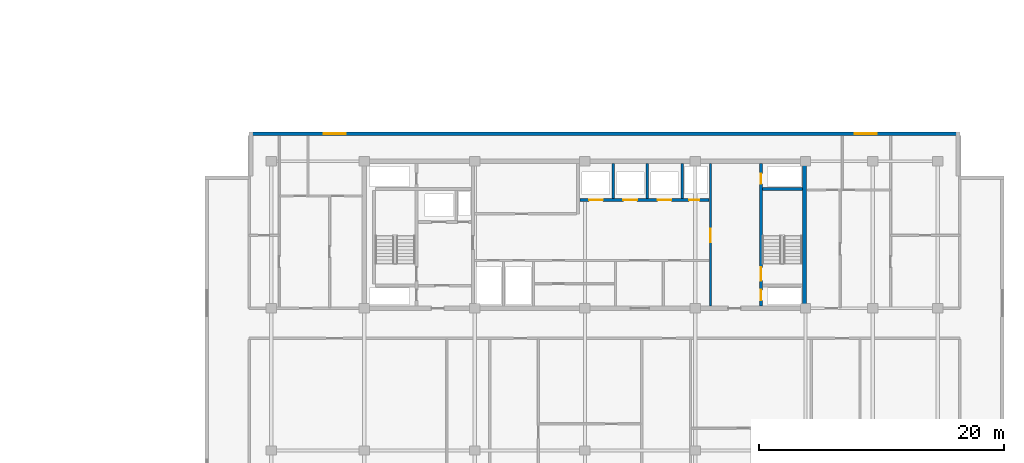
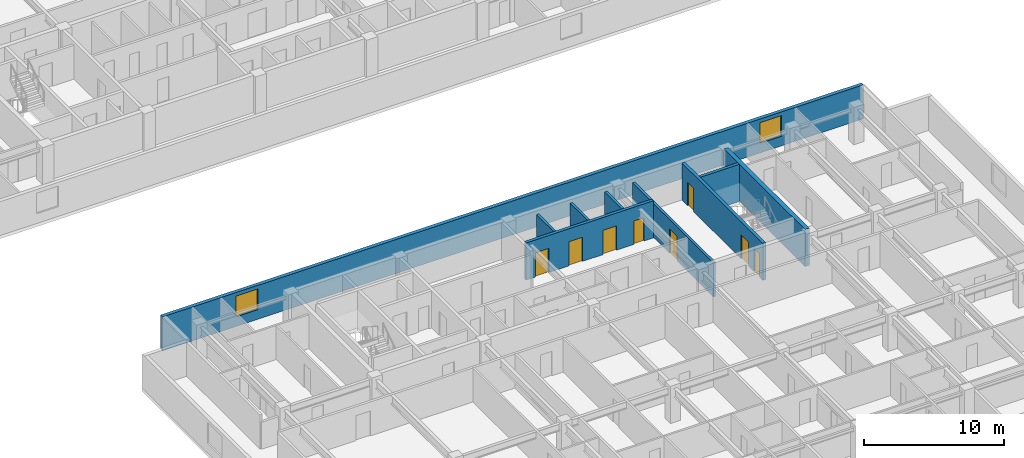
# One storey, part 8 of 22: 9 walls, 8 doors, 2 windows, 10 openings.
"""IFC4 building model written with IfcOpenShell, lengths in metres."""

from ifc_helpers import new_model, si_unit, direction, frame, frame_2d, origin, place, context, subcontext, project, spatial, rectangle, extrude, material, layer, layer_set, type_object, element, fill, save


model = new_model("IFC4")

# Units and contexts
model_context = context("Model", 3, precision=1e-05, world=origin(), true_north=direction((0.0, 1.0)))
body_context = subcontext(model_context, "Body", "Model", "MODEL_VIEW")
ifc_project = project(units=[si_unit("LENGTHUNIT", "METRE"), si_unit("AREAUNIT", "SQUARE_METRE"), si_unit("VOLUMEUNIT", "CUBIC_METRE"), si_unit("PLANEANGLEUNIT", "RADIAN"), si_unit("MASSUNIT", "GRAM", prefix="KILO")], contexts=[model_context])

# Site, building, storey
site_placement = place(None, origin())
site = spatial("IfcSite", under=ifc_project, at=site_placement, CompositionType="ELEMENT")
building_placement = place(site_placement, origin())
building = spatial("IfcBuilding", under=site, at=building_placement, Name="Korimba Cascade Residences", CompositionType="ELEMENT")
storey_placement = place(building_placement, frame((0.0, 0.0, 110.050048828125)))
storey = spatial("IfcBuildingStorey", under=building, at=storey_placement, Name="L31", CompositionType="ELEMENT", Elevation=110.050048828125)

# Wall, openings, windows
ifc_material_1 = material(Name="Precast concrete C40/50", Category="concrete")
ifc_layer_1 = layer(ifc_material_1, 0.300048828125)
ifc_layer_set_1 = layer_set([ifc_layer_1], Name="Precast concrete C40/50")
wall_type_1 = type_object("IfcWallType", Name="EW-STONE-300", PredefinedType="STANDARD", material=ifc_layer_set_1)
wall_1_placement = place(storey_placement, frame((130.699951171875, 32.64990234375, 0.0), z_axis=(0.0, 0.0, 1.0), x_axis=(-1.0, 0.0, 0.0)))
wall_1 = element("IfcWall", 1, at=wall_1_placement, inside=storey, type_object=wall_type_1, Name="L31 T2 Perimeter Stone Wall E06", PredefinedType="STANDARD", context=body_context, shape_type="SweptSolid", body=[
    extrude(rectangle(XDim=58.0, YDim=0.300048828125, at=frame_2d((29.0, 0.0))), origin(), (0.0, 0.0, 1.0), 2.969970703125),
])
opening_1_placement = place(wall_1_placement, frame((50.125, 0.0, 0.85009765625)))
opening_1 = element("IfcOpeningElement", 2, at=opening_1_placement, cuts=wall_1, Name="Opening W-02", PredefinedType="OPENING", context=body_context, shape_type="SweptSolid", body=[
    extrude(rectangle(XDim=1.800048828125, YDim=1.800048828125, at=frame_2d((0.89990234375, 0.89990234375))), frame((0.0, 0.16015625, 0.0), z_axis=(0.0, -1.0, 0.0), x_axis=(1.0, 0.0, 0.0)), (0.0, 0.0, 1.0), 0.320068359375),
])
opening_2_placement = place(wall_1_placement, frame((6.77490234375, 0.0, 0.85009765625)))
opening_2 = element("IfcOpeningElement", 3, at=opening_2_placement, cuts=wall_1, Name="Opening W-02", PredefinedType="OPENING", context=body_context, shape_type="SweptSolid", body=[
    extrude(rectangle(XDim=1.800048828125, YDim=1.800048828125, at=frame_2d((0.89990234375, 0.89990234375))), frame((0.0, 0.16015625, 0.0), z_axis=(0.0, -1.0, 0.0), x_axis=(1.0, 0.0, 0.0)), (0.0, 0.0, 1.0), 0.320068359375),
])
ifc_material_2 = material(Name="Double-Glazed Aluminium Window", Category="aluminium")
window_type = type_object("IfcWindowType", Name="WIN-BED-1800", PartitioningType="SINGLE_PANEL", PredefinedType="WINDOW", material=ifc_material_2)
window_1_placement = place(opening_1_placement, origin())
window_1 = element("IfcWindow", 4, at=window_1_placement, inside=storey, type_object=window_type, Name="L31 T2 North Corner Bedroom Window 1", OverallHeight=1.800048828125, OverallWidth=1.800048828125, PartitioningType="SINGLE_PANEL", PredefinedType="WINDOW", context=body_context, shape_type="SweptSolid", body=[
    extrude(rectangle(XDim=1.800048828125, YDim=1.800048828125, at=frame_2d((0.89990234375, 0.89990234375))), frame((0.0, 0.030029296875, 0.0), z_axis=(0.0, -1.0, 0.0), x_axis=(1.0, 0.0, 0.0)), (0.0, 0.0, 1.0), 0.06005859375),
])
fill(opening_1, window_1)
window_2_placement = place(opening_2_placement, origin())
window_2 = element("IfcWindow", 5, at=window_2_placement, inside=storey, type_object=window_type, Name="L31 T2 North Corner Bedroom Window 2", OverallHeight=1.800048828125, OverallWidth=1.800048828125, PartitioningType="SINGLE_PANEL", PredefinedType="WINDOW", context=body_context, shape_type="SweptSolid", body=[
    extrude(rectangle(XDim=1.800048828125, YDim=1.800048828125, at=frame_2d((0.89990234375, 0.89990234375))), frame((0.0, 0.030029296875, 0.0), z_axis=(0.0, -1.0, 0.0), x_axis=(1.0, 0.0, 0.0)), (0.0, 0.0, 1.0), 0.06005859375),
])
fill(opening_2, window_2)

# Walls
ifc_material_3 = material(Name="Concrete C65/80", Category="concrete")
ifc_layer_2 = layer(ifc_material_3, 0.35009765625)
ifc_layer_set_2 = layer_set([ifc_layer_2], Name="Concrete C65/80")
wall_type_2 = type_object("IfcWallType", Name="WAL-CORE-350", PredefinedType="SHEAR", material=ifc_layer_set_2)
wall_2_placement = place(storey_placement, frame((118.014892578125, 18.574951171875, 0.0), z_axis=(0.0, 0.0, 1.0), x_axis=(0.0, 1.0, 0.0)))
element("IfcWall", 6, at=wall_2_placement, inside=storey, type_object=wall_type_2, Name="L31 Core Shear Wall CW-L31-T2-E", PredefinedType="SHEAR", context=body_context, shape_type="SweptSolid", body=[
    extrude(rectangle(XDim=11.650146484375, YDim=0.35009765625, at=frame_2d((5.8251953125, 0.0))), origin(), (0.0, 0.0, 1.0), 3.25),
])
ifc_material_4 = material(Name="Concrete C40/50", Category="concrete")
ifc_layer_3 = layer(ifc_material_4, 0.199951171875)
ifc_layer_set_3 = layer_set([ifc_layer_3], Name="Concrete C40/50")
wall_type_3 = type_object("IfcWallType", Name="WAL-PART-200", PredefinedType="PARTITIONING", material=ifc_layer_set_3)
for number, where, z_axis, x_axis, name in (
    (7, (102.39990234375, 27.3798828125, 0.0), (0.0, 0.0, 1.0), (0.0, 1.0, 0.0), "L31 Partition Wall CW-L31-T2-B2D1"),
    (8, (105.199951171875, 27.3798828125, 0.0), (0.0, 0.0, 1.0), (0.0, 1.0, 0.0), "L31 Partition Wall CW-L31-T2-B2D2"),
    (9, (108.050048828125, 27.3798828125, 0.0), (0.0, 0.0, 1.0), (0.0, 1.0, 0.0), "L31 Partition Wall CW-L31-T2-B2D3"),
):
    element("IfcWall", number, at=place(storey_placement, frame(where, z_axis=z_axis, x_axis=x_axis)), inside=storey, type_object=wall_type_3, Name=name, PredefinedType="PARTITIONING", context=body_context, shape_type="SweptSolid", body=[
        extrude(rectangle(XDim=2.820068359375, YDim=0.199951171875, at=frame_2d((1.41015625, 0.0))), origin(), (0.0, 0.0, 1.0), 2.969970703125),
    ])

# Wall, opening, door
wall_3_placement = place(storey_placement, frame((110.35009765625, 18.60009765625, 0.0), z_axis=(0.0, 0.0, 1.0), x_axis=(0.0, 1.0, 0.0)))
wall_3 = element("IfcWall", 10, at=wall_3_placement, inside=storey, type_object=wall_type_3, Name="L31 Partition Wall CW-L31-T2-LLEV", PredefinedType="PARTITIONING", context=body_context, shape_type="SweptSolid", body=[
    extrude(rectangle(XDim=11.599853515625, YDim=0.199951171875, at=frame_2d((5.7998046875, 0.0))), origin(), (0.0, 0.0, 1.0), 2.969970703125),
])
opening_3_placement = place(wall_3_placement, frame((5.199951171875, 0.0, 0.0)))
opening_3 = element("IfcOpeningElement", 11, at=opening_3_placement, cuts=wall_3, Name="Opening D-FD6", PredefinedType="OPENING", context=body_context, shape_type="SweptSolid", body=[
    extrude(rectangle(XDim=1.10009765625, YDim=2.14990234375, at=frame_2d((0.550048828125, 1.074951171875))), frame((0.0, 0.10986328125, 0.0), z_axis=(0.0, -1.0, 0.0), x_axis=(1.0, 0.0, 0.0)), (0.0, 0.0, 1.0), 0.219970703125),
])
ifc_material_5 = material(Name="Fire-Rated Timber Stair Lobby Door", Category="wood")
door_type_1 = type_object("IfcDoorType", Name="DR-FD90-1100", OperationType="NOTDEFINED", PredefinedType="DOOR", material=ifc_material_5)
door_1_placement = place(opening_3_placement, origin())
door_1 = element("IfcDoor", 12, at=door_1_placement, inside=storey, type_object=door_type_1, Name="L31 T2 Lift Lobby to East Stair Lobby Door", OperationType="SINGLE_SWING_LEFT", OverallHeight=2.14990234375, OverallWidth=1.10009765625, PredefinedType="DOOR", context=body_context, shape_type="SweptSolid", body=[
    extrude(rectangle(XDim=1.10009765625, YDim=2.14990234375, at=frame_2d((0.550048828125, 1.074951171875))), frame((0.0, 0.02490234375, 0.0), z_axis=(0.0, -1.0, 0.0), x_axis=(1.0, 0.0, 0.0)), (0.0, 0.0, 1.0), 0.050048828125),
])
fill(opening_3, door_1)

# Wall, openings, doors
ifc_material_6 = material(Name="Concrete C50/60", Category="concrete")
ifc_layer_4 = layer(ifc_material_6, 0.25)
ifc_layer_set_4 = layer_set([ifc_layer_4], Name="Concrete C50/60")
wall_type_4 = type_object("IfcWallType", Name="WAL-SHAFT-250", PredefinedType="SHEAR", material=ifc_layer_set_4)
wall_4_placement = place(storey_placement, frame((99.679931640625, 27.25, 0.0), z_axis=(0.0, 0.0, 1.0), x_axis=(1.0, 0.0, 0.0)))
wall_4 = element("IfcWall", 13, at=wall_4_placement, inside=storey, type_object=wall_type_4, Name="L31 Core Shear Wall CW-L31-T2-B2S", PredefinedType="SHEAR", context=body_context, shape_type="SweptSolid", body=[
    extrude(rectangle(XDim=10.5400390625, YDim=0.25, at=frame_2d((5.27001953125, 0.0))), origin(), (0.0, 0.0, 1.0), 3.25),
])
opening_4_placement = place(wall_4_placement, frame((0.760009765625, 0.0, 0.0)))
opening_4 = element("IfcOpeningElement", 14, at=opening_4_placement, cuts=wall_4, Name="Opening LD-01", PredefinedType="OPENING", context=body_context, shape_type="SweptSolid", body=[
    extrude(rectangle(XDim=1.1201171875, YDim=2.1201171875, at=frame_2d((0.56005859375, 1.06005859375))), frame((0.0, 0.135009765625, 0.0), z_axis=(0.0, -1.0, 0.0), x_axis=(1.0, 0.0, 0.0)), (0.0, 0.0, 1.0), 0.27001953125),
])
opening_5_placement = place(wall_4_placement, frame((3.56005859375, 0.0, 0.0)))
opening_5 = element("IfcOpeningElement", 15, at=opening_5_placement, cuts=wall_4, Name="Opening LD-01", PredefinedType="OPENING", context=body_context, shape_type="SweptSolid", body=[
    extrude(rectangle(XDim=1.1201171875, YDim=2.1201171875, at=frame_2d((0.56005859375, 1.06005859375))), frame((0.0, 0.135009765625, 0.0), z_axis=(0.0, -1.0, 0.0), x_axis=(1.0, 0.0, 0.0)), (0.0, 0.0, 1.0), 0.27001953125),
])
opening_6_placement = place(wall_4_placement, frame((6.360107421875, 0.0, 0.0)))
opening_6 = element("IfcOpeningElement", 16, at=opening_6_placement, cuts=wall_4, Name="Opening LD-01", PredefinedType="OPENING", context=body_context, shape_type="SweptSolid", body=[
    extrude(rectangle(XDim=1.1201171875, YDim=2.1201171875, at=frame_2d((0.56005859375, 1.06005859375))), frame((0.0, 0.135009765625, 0.0), z_axis=(0.0, -1.0, 0.0), x_axis=(1.0, 0.0, 0.0)), (0.0, 0.0, 1.0), 0.27001953125),
])
opening_7_placement = place(wall_4_placement, frame((8.919921875, 0.0, 0.0)))
opening_7 = element("IfcOpeningElement", 17, at=opening_7_placement, cuts=wall_4, Name="Opening D-RS1", PredefinedType="OPENING", context=body_context, shape_type="SweptSolid", body=[
    extrude(rectangle(XDim=0.85009765625, YDim=2.050048828125, at=frame_2d((0.425048828125, 1.02490234375))), frame((0.0, 0.135009765625, 0.0), z_axis=(0.0, -1.0, 0.0), x_axis=(1.0, 0.0, 0.0)), (0.0, 0.0, 1.0), 0.27001953125),
])
ifc_material_7 = material(Name="Fire-Rated Steel Riser Access Door", Category="steel")
door_type_2 = type_object("IfcDoorType", Name="DR-FD60-850", OperationType="NOTDEFINED", PredefinedType="DOOR", material=ifc_material_7)
door_2_placement = place(opening_7_placement, origin())
door_2 = element("IfcDoor", 18, at=door_2_placement, inside=storey, type_object=door_type_2, Name="L31 T2 Duct Door", OperationType="SINGLE_SWING_LEFT", OverallHeight=2.050048828125, OverallWidth=0.85009765625, PredefinedType="DOOR", context=body_context, shape_type="SweptSolid", body=[
    extrude(rectangle(XDim=0.85009765625, YDim=2.050048828125, at=frame_2d((0.425048828125, 1.02490234375))), frame((0.0, 0.02490234375, 0.0), z_axis=(0.0, -1.0, 0.0), x_axis=(1.0, 0.0, 0.0)), (0.0, 0.0, 1.0), 0.050048828125),
])
fill(opening_7, door_2)
ifc_material_8 = material(Name="Stainless Steel Lift Landing Sliding Door", Category="steel")
door_type_3 = type_object("IfcDoorType", Name="DR-LIFT-1100", OperationType="NOTDEFINED", PredefinedType="DOOR", material=ifc_material_8)
door_3_placement = place(opening_4_placement, origin())
door_3 = element("IfcDoor", 19, at=door_3_placement, inside=storey, type_object=door_type_3, Name="L31 Lift Landing Door PL-E4", OperationType="SLIDING_TO_RIGHT", OverallHeight=2.1201171875, OverallWidth=1.1201171875, PredefinedType="DOOR", context=body_context, shape_type="SweptSolid", body=[
    extrude(rectangle(XDim=1.1201171875, YDim=2.1201171875, at=frame_2d((0.56005859375, 1.06005859375))), frame((0.0, 0.02490234375, 0.0), z_axis=(0.0, -1.0, 0.0), x_axis=(1.0, 0.0, 0.0)), (0.0, 0.0, 1.0), 0.050048828125),
])
fill(opening_4, door_3)
door_4_placement = place(opening_5_placement, origin())
door_4 = element("IfcDoor", 20, at=door_4_placement, inside=storey, type_object=door_type_3, Name="L31 Lift Landing Door PL-E5", OperationType="SLIDING_TO_RIGHT", OverallHeight=2.1201171875, OverallWidth=1.1201171875, PredefinedType="DOOR", context=body_context, shape_type="SweptSolid", body=[
    extrude(rectangle(XDim=1.1201171875, YDim=2.1201171875, at=frame_2d((0.56005859375, 1.06005859375))), frame((0.0, 0.02490234375, 0.0), z_axis=(0.0, -1.0, 0.0), x_axis=(1.0, 0.0, 0.0)), (0.0, 0.0, 1.0), 0.050048828125),
])
fill(opening_5, door_4)
door_5_placement = place(opening_6_placement, origin())
door_5 = element("IfcDoor", 21, at=door_5_placement, inside=storey, type_object=door_type_3, Name="L31 Lift Landing Door PL-E6", OperationType="SLIDING_TO_RIGHT", OverallHeight=2.1201171875, OverallWidth=1.1201171875, PredefinedType="DOOR", context=body_context, shape_type="SweptSolid", body=[
    extrude(rectangle(XDim=1.1201171875, YDim=2.1201171875, at=frame_2d((0.56005859375, 1.06005859375))), frame((0.0, 0.02490234375, 0.0), z_axis=(0.0, -1.0, 0.0), x_axis=(1.0, 0.0, 0.0)), (0.0, 0.0, 1.0), 0.050048828125),
])
fill(opening_6, door_5)

wall_5_placement = place(storey_placement, frame((114.47509765625, 18.60009765625, 0.0), z_axis=(0.0, 0.0, 1.0), x_axis=(0.0, 1.0, 0.0)))
wall_5 = element("IfcWall", 22, at=wall_5_placement, inside=storey, type_object=wall_type_4, Name="L31 Core Shear Wall CW-L31-T2-STE2W", PredefinedType="SHEAR", context=body_context, shape_type="SweptSolid", body=[
    extrude(rectangle(XDim=11.599853515625, YDim=0.25, at=frame_2d((5.7998046875, 0.0))), origin(), (0.0, 0.0, 1.0), 3.25),
])
opening_8_placement = place(wall_5_placement, frame((0.449951171875, 0.0, 0.0)))
opening_8 = element("IfcOpeningElement", 23, at=opening_8_placement, cuts=wall_5, Name="Opening D-RS1", PredefinedType="OPENING", context=body_context, shape_type="SweptSolid", body=[
    extrude(rectangle(XDim=0.85009765625, YDim=2.050048828125, at=frame_2d((0.425048828125, 1.02490234375))), frame((0.0, 0.135009765625, 0.0), z_axis=(0.0, -1.0, 0.0), x_axis=(1.0, 0.0, 0.0)), (0.0, 0.0, 1.0), 0.27001953125),
])
opening_9_placement = place(wall_5_placement, frame((2.050048828125, 0.0, 0.0)))
opening_9 = element("IfcOpeningElement", 24, at=opening_9_placement, cuts=wall_5, Name="Opening D-FD1", PredefinedType="OPENING", context=body_context, shape_type="SweptSolid", body=[
    extrude(rectangle(XDim=1.10009765625, YDim=2.10009765625, at=frame_2d((0.550048828125, 1.050048828125))), frame((0.0, 0.135009765625, 0.0), z_axis=(0.0, -1.0, 0.0), x_axis=(1.0, 0.0, 0.0)), (0.0, 0.0, 1.0), 0.27001953125),
])
opening_10_placement = place(wall_5_placement, frame((9.949951171875, 0.0, 0.0)))
opening_10 = element("IfcOpeningElement", 25, at=opening_10_placement, cuts=wall_5, Name="Opening D-RS1", PredefinedType="OPENING", context=body_context, shape_type="SweptSolid", body=[
    extrude(rectangle(XDim=0.85009765625, YDim=2.050048828125, at=frame_2d((0.425048828125, 1.02490234375))), frame((0.0, 0.135009765625, 0.0), z_axis=(0.0, -1.0, 0.0), x_axis=(1.0, 0.0, 0.0)), (0.0, 0.0, 1.0), 0.27001953125),
])
ifc_material_9 = material(Name="Fire-Rated Steel Core Door", Category="steel")
door_type_4 = type_object("IfcDoorType", Name="DR-FD120-1100", OperationType="NOTDEFINED", PredefinedType="DOOR", material=ifc_material_9)
door_6_placement = place(opening_9_placement, origin())
door_6 = element("IfcDoor", 26, at=door_6_placement, inside=storey, type_object=door_type_4, Name="L31 Fire Stair ST-E2 Door", OperationType="SINGLE_SWING_LEFT", OverallHeight=2.10009765625, OverallWidth=1.10009765625, PredefinedType="DOOR", context=body_context, shape_type="SweptSolid", body=[
    extrude(rectangle(XDim=1.10009765625, YDim=2.10009765625, at=frame_2d((0.550048828125, 1.050048828125))), frame((0.0, 0.02490234375, 0.0), z_axis=(0.0, -1.0, 0.0), x_axis=(1.0, 0.0, 0.0)), (0.0, 0.0, 1.0), 0.050048828125),
])
fill(opening_9, door_6)
door_7_placement = place(opening_8_placement, origin())
door_7 = element("IfcDoor", 27, at=door_7_placement, inside=storey, type_object=door_type_2, Name="L31 T2 East Hydrant Door", OperationType="SINGLE_SWING_RIGHT", OverallHeight=2.050048828125, OverallWidth=0.85009765625, PredefinedType="DOOR", context=body_context, shape_type="SweptSolid", body=[
    extrude(rectangle(XDim=0.85009765625, YDim=2.050048828125, at=frame_2d((0.425048828125, 1.02490234375))), frame((0.0, 0.02490234375, 0.0), z_axis=(0.0, -1.0, 0.0), x_axis=(1.0, 0.0, 0.0)), (0.0, 0.0, 1.0), 0.050048828125),
])
fill(opening_8, door_7)
door_8_placement = place(opening_10_placement, origin())
door_8 = element("IfcDoor", 28, at=door_8_placement, inside=storey, type_object=door_type_2, Name="L31 T2 East Riser Door", OperationType="SINGLE_SWING_RIGHT", OverallHeight=2.050048828125, OverallWidth=0.85009765625, PredefinedType="DOOR", context=body_context, shape_type="SweptSolid", body=[
    extrude(rectangle(XDim=0.85009765625, YDim=2.050048828125, at=frame_2d((0.425048828125, 1.02490234375))), frame((0.0, 0.02490234375, 0.0), z_axis=(0.0, -1.0, 0.0), x_axis=(1.0, 0.0, 0.0)), (0.0, 0.0, 1.0), 0.050048828125),
])
fill(opening_10, door_8)

# Wall
wall_6_placement = place(storey_placement, frame((114.60009765625, 28.125, 0.0), z_axis=(0.0, 0.0, 1.0), x_axis=(1.0, 0.0, 0.0)))
element("IfcWall", 29, at=wall_6_placement, inside=storey, type_object=wall_type_4, Name="L31 Core Shear Wall CW-L31-T2-STE2N", PredefinedType="SHEAR", context=body_context, shape_type="SweptSolid", body=[
    extrude(rectangle(XDim=3.239990234375, YDim=0.25, at=frame_2d((1.6201171875, 0.0))), origin(), (0.0, 0.0, 1.0), 3.25),
])

save(model, "model.ifc")
